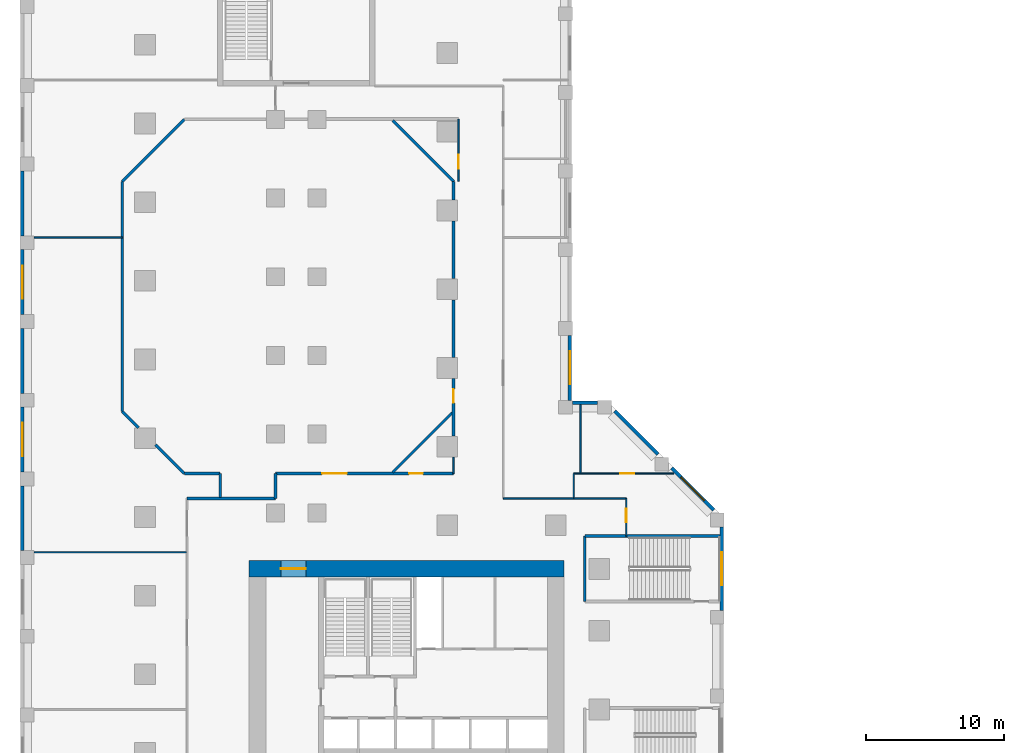
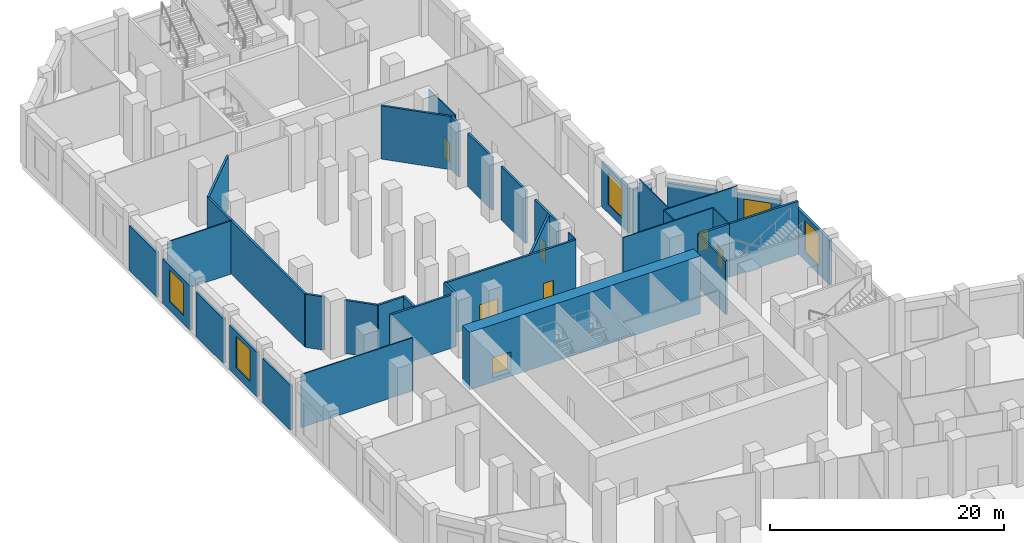
# One storey, part 8 of 15: 38 walls, 7 doors, 5 windows, 12 openings.
"""IFC4 building model written with IfcOpenShell, lengths in metres."""

from ifc_helpers import new_model, si_unit, direction, frame, frame_2d, origin, place, context, subcontext, project, spatial, rectangle, extrude, material, layer, layer_set, type_object, element, fill, save


model = new_model("IFC4")

# Units and contexts
model_context = context("Model", 3, precision=1e-05, world=origin(), true_north=direction((0.0, 1.0)))
body_context = subcontext(model_context, "Body", "Model", "MODEL_VIEW")
ifc_project = project(units=[si_unit("LENGTHUNIT", "METRE"), si_unit("AREAUNIT", "SQUARE_METRE"), si_unit("VOLUMEUNIT", "CUBIC_METRE"), si_unit("PLANEANGLEUNIT", "RADIAN"), si_unit("MASSUNIT", "GRAM", prefix="KILO")], contexts=[model_context])

# Site, building, storey
site_placement = place(None, origin())
site = spatial("IfcSite", under=ifc_project, at=site_placement, CompositionType="ELEMENT")
building_placement = place(site_placement, origin())
building = spatial("IfcBuilding", under=site, at=building_placement, Name="Meshkara Civic Tower", CompositionType="ELEMENT")
storey_placement = place(building_placement, frame((0.0, 0.0, 12.60009765625)))
storey = spatial("IfcBuildingStorey", under=building, at=storey_placement, Name="L02", CompositionType="ELEMENT", Elevation=12.60009765625)

# Wall, opening, door
ifc_material_1 = material(Name="Concrete C80", Category="concrete")
ifc_layer_1 = layer(ifc_material_1, 1.199951171875)
ifc_layer_set_1 = layer_set([ifc_layer_1], Name="Core ring wall 1200 C80")
wall_type_1 = type_object("IfcWallType", Name="Core ring wall 1200 C80", PredefinedType="SHEAR", material=ifc_layer_set_1)
wall_1_placement = place(storey_placement, frame((8.0, 36.300048828125, -0.4501953125), z_axis=(0.0, 0.0, 1.0), x_axis=(1.0, 0.0, 0.0)))
wall_1 = element("IfcWall", 1, at=wall_1_placement, inside=storey, type_object=wall_type_1, Name="L02-C002", PredefinedType="SHEAR", context=body_context, shape_type="SweptSolid", body=[
    extrude(rectangle(XDim=22.800048828125, YDim=1.199951171875, at=frame_2d((11.39990234375, 0.0))), origin(), (0.0, 0.0, 1.0), 6.0),
])
opening_1_placement = place(wall_1_placement, frame((2.300048828125, 0.0, 0.449951171875)))
opening_1 = element("IfcOpeningElement", 2, at=opening_1_placement, cuts=wall_1, Name="Opening L02-K020", PredefinedType="OPENING", context=body_context, shape_type="SweptSolid", body=[
    extrude(rectangle(XDim=1.800048828125, YDim=2.10009765625, at=frame_2d((0.89990234375, 1.050048828125))), frame((0.0, 0.60986328125, 0.0), z_axis=(0.0, -1.0, 0.0), x_axis=(1.0, 0.0, 0.0)), (0.0, 0.0, 1.0), 1.219970703125),
])
ifc_material_2 = material(Name="Fire-rated door leaf in steel frame", Category="steel")
door_type_1 = type_object("IfcDoorType", Name="Core double door 1800 EI 60", OperationType="DOUBLE_DOOR_SINGLE_SWING", PredefinedType="DOOR", material=ifc_material_2)
door_1_placement = place(opening_1_placement, origin())
door_1 = element("IfcDoor", 3, at=door_1_placement, inside=storey, type_object=door_type_1, Name="L02-K020", OperationType="DOUBLE_DOOR_SINGLE_SWING", OverallHeight=2.10009765625, OverallWidth=1.800048828125, PredefinedType="DOOR", context=body_context, shape_type="SweptSolid", body=[
    extrude(rectangle(XDim=1.800048828125, YDim=2.10009765625, at=frame_2d((0.89990234375, 1.050048828125))), frame((0.0, 0.02490234375, 0.0), z_axis=(0.0, -1.0, 0.0), x_axis=(1.0, 0.0, 0.0)), (0.0, 0.0, 1.0), 0.050048828125),
])
fill(opening_1, door_1)

# Wall
ifc_material_3 = material(Name="Corridor wall 100")
ifc_layer_2 = layer(ifc_material_3, 0.10009765625)
ifc_layer_set_2 = layer_set([ifc_layer_2], Name="Corridor wall 100")
wall_type_2 = type_object("IfcWallType", Name="Corridor wall 100", PredefinedType="PARTITIONING", material=ifc_layer_set_2)
wall_2_placement = place(storey_placement, frame((22.800048828125, 44.3798828125, 0.0), z_axis=(0.0, 0.0, 1.0), x_axis=(0.0, -1.0, 0.0)))
element("IfcWall", 4, at=wall_2_placement, inside=storey, type_object=wall_type_2, Name="L02-R029", PredefinedType="PARTITIONING", context=body_context, shape_type="SweptSolid", body=[
    extrude(rectangle(XDim=1.179931640625, YDim=0.10009765625, at=frame_2d((0.58984375, 0.0))), origin(), (0.0, 0.0, 1.0), 5.5498046875),
])

# Wall, opening, door
wall_3_placement = place(storey_placement, frame((23.14990234375, 68.8701171875, 0.0), z_axis=(0.0, 0.0, 1.0), x_axis=(0.0, -1.0, 0.0)))
wall_3 = element("IfcWall", 5, at=wall_3_placement, inside=storey, type_object=wall_type_2, Name="L02-R034", PredefinedType="PARTITIONING", context=body_context, shape_type="SweptSolid", body=[
    extrude(rectangle(XDim=4.52001953125, YDim=0.10009765625, at=frame_2d((2.260009765625, 0.0))), origin(), (0.0, 0.0, 1.0), 5.5498046875),
])
opening_2_placement = place(wall_3_placement, frame((2.580078125, 0.0, 0.0)))
opening_2 = element("IfcOpeningElement", 6, at=opening_2_placement, cuts=wall_3, Name="Opening L02-P033", PredefinedType="OPENING", context=body_context, shape_type="SweptSolid", body=[
    extrude(rectangle(XDim=1.0, YDim=2.10009765625, at=frame_2d((0.5, 1.050048828125))), frame((0.0, 0.06005859375, 0.0), z_axis=(0.0, -1.0, 0.0), x_axis=(1.0, 0.0, 0.0)), (0.0, 0.0, 1.0), 0.1201171875),
])
ifc_material_4 = material(Name="Door 1000 x 2100")
door_type_2 = type_object("IfcDoorType", Name="Door 1000 x 2100", OperationType="SINGLE_SWING_LEFT", PredefinedType="DOOR", material=ifc_material_4)
door_2_placement = place(opening_2_placement, origin())
door_2 = element("IfcDoor", 7, at=door_2_placement, inside=storey, type_object=door_type_2, Name="L02-P033", OperationType="SINGLE_SWING_LEFT", OverallHeight=2.10009765625, OverallWidth=1.0, PredefinedType="DOOR", context=body_context, shape_type="SweptSolid", body=[
    extrude(rectangle(XDim=1.0, YDim=2.10009765625, at=frame_2d((0.5, 1.050048828125))), frame((0.0, 0.02490234375, 0.0), z_axis=(0.0, -1.0, 0.0), x_axis=(1.0, 0.0, 0.0)), (0.0, 0.0, 1.0), 0.050048828125),
])
fill(opening_2, door_2)

# Wall
wall_4_placement = place(storey_placement, frame((26.39990234375, 41.39990234375, 0.0), z_axis=(0.0, 0.0, 1.0), x_axis=(1.0, 0.0, 0.0)))
element("IfcWall", 8, at=wall_4_placement, inside=storey, type_object=wall_type_2, Name="L02-R037", PredefinedType="PARTITIONING", context=body_context, shape_type="SweptSolid", body=[
    extrude(rectangle(XDim=8.900146484375, YDim=0.10009765625, at=frame_2d((4.4501953125, 0.0))), origin(), (0.0, 0.0, 1.0), 5.5498046875),
])

# Wall, opening, door
wall_5_placement = place(storey_placement, frame((35.300048828125, 38.675048828125, 0.0), z_axis=(0.0, 0.0, 1.0), x_axis=(0.0, 1.0, 0.0)))
wall_5 = element("IfcWall", 9, at=wall_5_placement, inside=storey, type_object=wall_type_2, Name="L02-R047", PredefinedType="PARTITIONING", context=body_context, shape_type="SweptSolid", body=[
    extrude(rectangle(XDim=2.724853515625, YDim=0.10009765625, at=frame_2d((1.3623046875, 0.0))), origin(), (0.0, 0.0, 1.0), 5.5498046875),
])
opening_3_placement = place(wall_5_placement, frame((0.97998046875, 0.0, 0.0)))
opening_3 = element("IfcOpeningElement", 10, at=opening_3_placement, cuts=wall_5, Name="Opening L02-P027", PredefinedType="OPENING", context=body_context, shape_type="SweptSolid", body=[
    extrude(rectangle(XDim=1.0, YDim=2.10009765625, at=frame_2d((0.5, 1.050048828125))), frame((0.0, 0.06005859375, 0.0), z_axis=(0.0, -1.0, 0.0), x_axis=(1.0, 0.0, 0.0)), (0.0, 0.0, 1.0), 0.1201171875),
])
door_3_placement = place(opening_3_placement, origin())
door_3 = element("IfcDoor", 11, at=door_3_placement, inside=storey, type_object=door_type_2, Name="L02-P027", OperationType="SINGLE_SWING_RIGHT", OverallHeight=2.10009765625, OverallWidth=1.0, PredefinedType="DOOR", context=body_context, shape_type="SweptSolid", body=[
    extrude(rectangle(XDim=1.0, YDim=2.10009765625, at=frame_2d((0.5, 1.050048828125))), frame((0.0, 0.02490234375, 0.0), z_axis=(0.0, -1.0, 0.0), x_axis=(1.0, 0.0, 0.0)), (0.0, 0.0, 1.0), 0.050048828125),
])
fill(opening_3, door_3)

# Wall
ifc_material_5 = material(Name="Fire-rated wall 200")
ifc_layer_3 = layer(ifc_material_5, 0.199951171875)
ifc_layer_set_3 = layer_set([ifc_layer_3], Name="Fire-rated wall 200")
wall_type_3 = type_object("IfcWallType", Name="Fire-rated wall 200", PredefinedType="PARTITIONING", material=ifc_layer_set_3)
wall_6_placement = place(storey_placement, frame((3.5, 41.39990234375, 0.0), z_axis=(0.0, 0.0, 1.0), x_axis=(1.0, 0.0, 0.0)))
element("IfcWall", 12, at=wall_6_placement, inside=storey, type_object=wall_type_3, Name="L02-R009", PredefinedType="PARTITIONING", context=body_context, shape_type="SweptSolid", body=[
    extrude(rectangle(XDim=6.39990234375, YDim=0.199951171875, at=frame_2d((3.199951171875, 0.0))), origin(), (0.0, 0.0, 1.0), 5.5498046875),
])

# Wall, openings, doors
wall_7_placement = place(storey_placement, frame((9.89990234375, 43.199951171875, 0.0), z_axis=(0.0, 0.0, 1.0), x_axis=(1.0, 0.0, 0.0)))
wall_7 = element("IfcWall", 13, at=wall_7_placement, inside=storey, type_object=wall_type_3, Name="L02-R012", PredefinedType="PARTITIONING", context=body_context, shape_type="SweptSolid", body=[
    extrude(rectangle(XDim=12.900146484375, YDim=0.199951171875, at=frame_2d((6.4501953125, 0.0))), origin(), (0.0, 0.0, 1.0), 5.5498046875),
])
opening_4_placement = place(wall_7_placement, frame((3.3798828125, 0.0, 0.0)))
opening_4 = element("IfcOpeningElement", 14, at=opening_4_placement, cuts=wall_7, Name="Opening L02-P028", PredefinedType="OPENING", context=body_context, shape_type="SweptSolid", body=[
    extrude(rectangle(XDim=1.800048828125, YDim=2.10009765625, at=frame_2d((0.89990234375, 1.050048828125))), frame((0.0, 0.10986328125, 0.0), z_axis=(0.0, -1.0, 0.0), x_axis=(1.0, 0.0, 0.0)), (0.0, 0.0, 1.0), 0.219970703125),
])
opening_5_placement = place(wall_7_placement, frame((9.679931640625, 0.0, 0.0)))
opening_5 = element("IfcOpeningElement", 15, at=opening_5_placement, cuts=wall_7, Name="Opening L02-P029", PredefinedType="OPENING", context=body_context, shape_type="SweptSolid", body=[
    extrude(rectangle(XDim=1.0, YDim=2.10009765625, at=frame_2d((0.5, 1.050048828125))), frame((0.0, 0.10986328125, 0.0), z_axis=(0.0, -1.0, 0.0), x_axis=(1.0, 0.0, 0.0)), (0.0, 0.0, 1.0), 0.219970703125),
])
door_4_placement = place(opening_5_placement, origin())
door_4 = element("IfcDoor", 16, at=door_4_placement, inside=storey, type_object=door_type_2, Name="L02-P029", OperationType="SINGLE_SWING_RIGHT", OverallHeight=2.10009765625, OverallWidth=1.0, PredefinedType="DOOR", context=body_context, shape_type="SweptSolid", body=[
    extrude(rectangle(XDim=1.0, YDim=2.10009765625, at=frame_2d((0.5, 1.050048828125))), frame((0.0, 0.02490234375, 0.0), z_axis=(0.0, -1.0, 0.0), x_axis=(1.0, 0.0, 0.0)), (0.0, 0.0, 1.0), 0.050048828125),
])
fill(opening_5, door_4)
ifc_material_6 = material(Name="Door pair 1800 x 2100")
door_type_3 = type_object("IfcDoorType", Name="Door pair 1800 x 2100", OperationType="SINGLE_SWING_LEFT", PredefinedType="DOOR", material=ifc_material_6)
door_5_placement = place(opening_4_placement, origin())
door_5 = element("IfcDoor", 17, at=door_5_placement, inside=storey, type_object=door_type_3, Name="L02-P028", OperationType="DOUBLE_DOOR_SINGLE_SWING", OverallHeight=2.10009765625, OverallWidth=1.800048828125, PredefinedType="DOOR", context=body_context, shape_type="SweptSolid", body=[
    extrude(rectangle(XDim=1.800048828125, YDim=2.10009765625, at=frame_2d((0.89990234375, 1.050048828125))), frame((0.0, 0.02490234375, 0.0), z_axis=(0.0, -1.0, 0.0), x_axis=(1.0, 0.0, 0.0)), (0.0, 0.0, 1.0), 0.050048828125),
])
fill(opening_4, door_5)

# Wall
wall_8_placement = place(storey_placement, frame((9.89990234375, 43.199951171875, 0.0), z_axis=(0.0, 0.0, 1.0), x_axis=(0.0, -1.0, 0.0)))
element("IfcWall", 18, at=wall_8_placement, inside=storey, type_object=wall_type_3, Name="L02-R013", PredefinedType="PARTITIONING", context=body_context, shape_type="SweptSolid", body=[
    extrude(rectangle(XDim=1.800048828125, YDim=0.199951171875, at=frame_2d((0.89990234375, 0.0))), origin(), (0.0, 0.0, 1.0), 5.5498046875),
])

# Wall, opening, door
wall_9_placement = place(storey_placement, frame((22.800048828125, 45.919921875, 0.0), z_axis=(0.0, 0.0, 1.0), x_axis=(0.0, 1.0, 0.0)))
wall_9 = element("IfcWall", 19, at=wall_9_placement, inside=storey, type_object=wall_type_3, Name="L02-R030", PredefinedType="PARTITIONING", context=body_context, shape_type="SweptSolid", body=[
    extrude(rectangle(XDim=4.16015625, YDim=0.199951171875, at=frame_2d((2.080078125, 0.0))), origin(), (0.0, 0.0, 1.0), 5.5498046875),
])
opening_6_placement = place(wall_9_placement, frame((2.39990234375, 0.0, 0.0)))
opening_6 = element("IfcOpeningElement", 20, at=opening_6_placement, cuts=wall_9, Name="Opening L02-P031", PredefinedType="OPENING", context=body_context, shape_type="SweptSolid", body=[
    extrude(rectangle(XDim=1.0, YDim=2.10009765625, at=frame_2d((0.5, 1.050048828125))), frame((0.0, 0.10986328125, 0.0), z_axis=(0.0, -1.0, 0.0), x_axis=(1.0, 0.0, 0.0)), (0.0, 0.0, 1.0), 0.219970703125),
])
door_6_placement = place(opening_6_placement, origin())
door_6 = element("IfcDoor", 21, at=door_6_placement, inside=storey, type_object=door_type_2, Name="L02-P031", OperationType="SINGLE_SWING_LEFT", OverallHeight=2.10009765625, OverallWidth=1.0, PredefinedType="DOOR", context=body_context, shape_type="SweptSolid", body=[
    extrude(rectangle(XDim=1.0, YDim=2.10009765625, at=frame_2d((0.5, 1.050048828125))), frame((0.0, 0.02490234375, 0.0), z_axis=(0.0, -1.0, 0.0), x_axis=(1.0, 0.0, 0.0)), (0.0, 0.0, 1.0), 0.050048828125),
])
fill(opening_6, door_6)

# Walls
for number, where, z_axis, x_axis, name in (
    (22, (22.800048828125, 55.780029296875, 0.0), (0.0, 0.0, 1.0), (0.0, -1.0, 0.0), "L02-R031"),
    (23, (22.800048828125, 61.47998046875, 0.0), (0.0, 0.0, 1.0), (0.0, -1.0, 0.0), "L02-R032"),
):
    element("IfcWall", number, at=place(storey_placement, frame(where, z_axis=z_axis, x_axis=x_axis)), inside=storey, type_object=wall_type_3, Name=name, PredefinedType="PARTITIONING", context=body_context, shape_type="SweptSolid", body=[
        extrude(rectangle(XDim=4.159912109375, YDim=0.199951171875, at=frame_2d((2.080078125, 0.0))), origin(), (0.0, 0.0, 1.0), 5.5498046875),
    ])
wall_10_placement = place(storey_placement, frame((22.800048828125, 64.35009765625, 0.0), z_axis=(0.0, 0.0, 1.0), x_axis=(0.0, -1.0, 0.0)))
element("IfcWall", 24, at=wall_10_placement, inside=storey, type_object=wall_type_3, Name="L02-R033", PredefinedType="PARTITIONING", context=body_context, shape_type="SweptSolid", body=[
    extrude(rectangle(XDim=1.330078125, YDim=0.199951171875, at=frame_2d((0.6650390625, 0.0))), origin(), (0.0, 0.0, 1.0), 5.5498046875),
])
wall_11_placement = place(storey_placement, frame((-1.199951171875, 47.699951171875, 0.0), z_axis=(0.0, 0.0, 1.0), x_axis=(0.707106781187, -0.707106781187, 0.0)))
element("IfcWall", 25, at=wall_11_placement, inside=storey, type_object=wall_type_3, Name="L02-R080", PredefinedType="PARTITIONING", context=body_context, shape_type="SweptSolid", body=[
    extrude(rectangle(XDim=1.661865234375, YDim=0.199951171875, at=frame_2d((0.8310546875, 0.0))), origin(), (0.0, 0.0, 1.0), 5.5498046875),
])
wall_12_placement = place(storey_placement, frame((-1.199951171875, 64.35009765625, 0.0), z_axis=(0.0, 0.0, 1.0), x_axis=(0.0, -1.0, 0.0)))
element("IfcWall", 26, at=wall_12_placement, inside=storey, type_object=wall_type_3, Name="L02-R081", PredefinedType="PARTITIONING", context=body_context, shape_type="SweptSolid", body=[
    extrude(rectangle(XDim=16.650146484375, YDim=0.199951171875, at=frame_2d((8.3251953125, 0.0))), origin(), (0.0, 0.0, 1.0), 5.5498046875),
])
wall_13_placement = place(storey_placement, frame((1.219970703125, 45.280029296875, 0.0), z_axis=(0.0, 0.0, 1.0), x_axis=(0.707106781187, -0.707106781187, 0.0)))
element("IfcWall", 27, at=wall_13_placement, inside=storey, type_object=wall_type_3, Name="L02-R083", PredefinedType="PARTITIONING", context=body_context, shape_type="SweptSolid", body=[
    extrude(rectangle(XDim=2.941650390625, YDim=0.199951171875, at=frame_2d((1.470703125, 0.0))), origin(), (0.0, 0.0, 1.0), 5.5498046875),
])
wall_14_placement = place(storey_placement, frame((3.300048828125, 43.199951171875, 0.0), z_axis=(0.0, 0.0, 1.0), x_axis=(1.0, 0.0, 0.0)))
element("IfcWall", 28, at=wall_14_placement, inside=storey, type_object=wall_type_3, Name="L02-R084", PredefinedType="PARTITIONING", context=body_context, shape_type="SweptSolid", body=[
    extrude(rectangle(XDim=2.599853515625, YDim=0.199951171875, at=frame_2d((1.2998046875, 0.0))), origin(), (0.0, 0.0, 1.0), 5.5498046875),
])
wall_15_placement = place(storey_placement, frame((3.300048828125, 68.85009765625, 0.0), z_axis=(0.0, 0.0, 1.0), x_axis=(-0.707106781187, -0.707106781187, 0.0)))
element("IfcWall", 29, at=wall_15_placement, inside=storey, type_object=wall_type_3, Name="L02-R085", PredefinedType="PARTITIONING", context=body_context, shape_type="SweptSolid", body=[
    extrude(rectangle(XDim=6.364013671875, YDim=0.199951171875, at=frame_2d((3.18212890625, 0.0))), origin(), (0.0, 0.0, 1.0), 5.5498046875),
])
wall_16_placement = place(storey_placement, frame((5.89990234375, 43.199951171875, 0.0), z_axis=(0.0, 0.0, 1.0), x_axis=(0.0, -1.0, 0.0)))
element("IfcWall", 30, at=wall_16_placement, inside=storey, type_object=wall_type_3, Name="L02-R089", PredefinedType="PARTITIONING", context=body_context, shape_type="SweptSolid", body=[
    extrude(rectangle(XDim=1.75, YDim=0.199951171875, at=frame_2d((0.875, 0.0))), origin(), (0.0, 0.0, 1.0), 5.5498046875),
])
wall_17_placement = place(storey_placement, frame((18.385009765625, 43.284912109375, 0.0), z_axis=(0.0, 0.0, 1.0), x_axis=(0.707106781187, 0.707106781187, 0.0)))
element("IfcWall", 31, at=wall_17_placement, inside=storey, type_object=wall_type_3, Name="L02-R091", PredefinedType="PARTITIONING", context=body_context, shape_type="SweptSolid", body=[
    extrude(rectangle(XDim=6.12353515625, YDim=0.199951171875, at=frame_2d((3.061767578125, 0.0))), origin(), (0.0, 0.0, 1.0), 5.5498046875),
])
wall_18_placement = place(storey_placement, frame((22.800048828125, 64.35009765625, 0.0), z_axis=(0.0, 0.0, 1.0), x_axis=(-0.707126332076, 0.707087229757, 0.0)))
element("IfcWall", 32, at=wall_18_placement, inside=storey, type_object=wall_type_3, Name="L02-R092", PredefinedType="PARTITIONING", context=body_context, shape_type="SweptSolid", body=[
    extrude(rectangle(XDim=6.24365234375, YDim=0.199951171875, at=frame_2d((3.121826171875, 0.0))), origin(), (0.0, 0.0, 1.0), 5.5498046875),
])
ifc_material_7 = material(Name="Stone cladding on insulated backing wall", Category="masonry")
ifc_layer_4 = layer(ifc_material_7, 0.25)
ifc_layer_set_4 = layer_set([ifc_layer_4], Name="PODIUM STONE WALL 250")
wall_type_4 = type_object("IfcWallType", Name="PODIUM STONE WALL 250", PredefinedType="SOLIDWALL", material=ifc_layer_set_4)
wall_19_placement = place(storey_placement, frame((-8.425048828125, 65.111083984375, 0.0), z_axis=(0.0, 0.0, 1.0), x_axis=(0.0, -1.0, 0.0)))
element("IfcWall", 33, at=wall_19_placement, inside=storey, type_object=wall_type_4, Name="Podium external wall", PredefinedType="SOLIDWALL", context=body_context, shape_type="SweptSolid", body=[
    extrude(rectangle(XDim=4.7001953125, YDim=0.25, at=frame_2d((2.35009765625, 0.0))), origin(), (0.0, 0.0, 1.0), 4.64990234375),
])

# Wall, opening, window
wall_20_placement = place(storey_placement, frame((-8.425048828125, 59.410888671875, 0.0), z_axis=(0.0, 0.0, 1.0), x_axis=(0.0, -1.0, 0.0)))
wall_20 = element("IfcWall", 34, at=wall_20_placement, inside=storey, type_object=wall_type_4, Name="Podium external wall", PredefinedType="SOLIDWALL", context=body_context, shape_type="SweptSolid", body=[
    extrude(rectangle(XDim=4.699951171875, YDim=0.25, at=frame_2d((2.35009765625, 0.0))), origin(), (0.0, 0.0, 1.0), 4.64990234375),
])
opening_7_placement = place(wall_20_placement, frame((1.14990234375, 0.0, 0.89990234375)))
opening_7 = element("IfcOpeningElement", 35, at=opening_7_placement, cuts=wall_20, Name="Opening PW7", PredefinedType="OPENING", context=body_context, shape_type="SweptSolid", body=[
    extrude(rectangle(XDim=2.39990234375, YDim=3.300048828125, at=frame_2d((1.199951171875, 1.64990234375))), frame((0.0, 0.135009765625, 0.0), z_axis=(0.0, -1.0, 0.0), x_axis=(1.0, 0.0, 0.0)), (0.0, 0.0, 1.0), 0.27001953125),
])
ifc_material_8 = material(Name="Tinted double glazing", Category="glass")
window_type = type_object("IfcWindowType", Name="PODIUM WINDOW 2400x3300", PartitioningType="DOUBLE_PANEL_VERTICAL", PredefinedType="WINDOW", material=ifc_material_8)
window_1_placement = place(opening_7_placement, origin())
window_1 = element("IfcWindow", 36, at=window_1_placement, inside=storey, type_object=window_type, Name="Podium window", OverallHeight=3.300048828125, OverallWidth=2.39990234375, PartitioningType="DOUBLE_PANEL_VERTICAL", PredefinedType="WINDOW", context=body_context, shape_type="SweptSolid", body=[
    extrude(rectangle(XDim=2.39990234375, YDim=3.300048828125, at=frame_2d((1.199951171875, 1.64990234375))), frame((0.0, 0.030029296875, 0.0), z_axis=(0.0, -1.0, 0.0), x_axis=(1.0, 0.0, 0.0)), (0.0, 0.0, 1.0), 0.06005859375),
])
fill(opening_7, window_1)

# Wall
wall_21_placement = place(storey_placement, frame((-8.425048828125, 53.7109375, 0.0), z_axis=(0.0, 0.0, 1.0), x_axis=(0.0, -1.0, 0.0)))
element("IfcWall", 37, at=wall_21_placement, inside=storey, type_object=wall_type_4, Name="Podium external wall", PredefinedType="SOLIDWALL", context=body_context, shape_type="SweptSolid", body=[
    extrude(rectangle(XDim=4.699951171875, YDim=0.25, at=frame_2d((2.35009765625, 0.0))), origin(), (0.0, 0.0, 1.0), 4.64990234375),
])

# Wall, opening, window
wall_22_placement = place(storey_placement, frame((-8.425048828125, 48.010986328125, 0.0), z_axis=(0.0, 0.0, 1.0), x_axis=(0.0, -1.0, 0.0)))
wall_22 = element("IfcWall", 38, at=wall_22_placement, inside=storey, type_object=wall_type_4, Name="Podium external wall", PredefinedType="SOLIDWALL", context=body_context, shape_type="SweptSolid", body=[
    extrude(rectangle(XDim=4.699951171875, YDim=0.25, at=frame_2d((2.35009765625, 0.0))), origin(), (0.0, 0.0, 1.0), 4.64990234375),
])
opening_8_placement = place(wall_22_placement, frame((1.14990234375, 0.0, 0.89990234375)))
opening_8 = element("IfcOpeningElement", 39, at=opening_8_placement, cuts=wall_22, Name="Opening PW7", PredefinedType="OPENING", context=body_context, shape_type="SweptSolid", body=[
    extrude(rectangle(XDim=2.39990234375, YDim=3.300048828125, at=frame_2d((1.199951171875, 1.64990234375))), frame((0.0, 0.135009765625, 0.0), z_axis=(0.0, -1.0, 0.0), x_axis=(1.0, 0.0, 0.0)), (0.0, 0.0, 1.0), 0.27001953125),
])
window_2_placement = place(opening_8_placement, origin())
window_2 = element("IfcWindow", 40, at=window_2_placement, inside=storey, type_object=window_type, Name="Podium window", OverallHeight=3.300048828125, OverallWidth=2.39990234375, PartitioningType="DOUBLE_PANEL_VERTICAL", PredefinedType="WINDOW", context=body_context, shape_type="SweptSolid", body=[
    extrude(rectangle(XDim=2.39990234375, YDim=3.300048828125, at=frame_2d((1.199951171875, 1.64990234375))), frame((0.0, 0.030029296875, 0.0), z_axis=(0.0, -1.0, 0.0), x_axis=(1.0, 0.0, 0.0)), (0.0, 0.0, 1.0), 0.06005859375),
])
fill(opening_8, window_2)

# Wall
wall_23_placement = place(storey_placement, frame((-8.425048828125, 42.31103515625, 0.0), z_axis=(0.0, 0.0, 1.0), x_axis=(0.0, -1.0, 0.0)))
element("IfcWall", 41, at=wall_23_placement, inside=storey, type_object=wall_type_4, Name="Podium external wall", PredefinedType="SOLIDWALL", context=body_context, shape_type="SweptSolid", body=[
    extrude(rectangle(XDim=4.699951171875, YDim=0.25, at=frame_2d((2.35009765625, 0.0))), origin(), (0.0, 0.0, 1.0), 4.64990234375),
])

# Wall, opening, window
wall_24_placement = place(storey_placement, frame((42.22509765625, 33.299072265625, 0.0), z_axis=(0.0, 0.0, 1.0), x_axis=(0.0, 1.0, 0.0)))
wall_24 = element("IfcWall", 42, at=wall_24_placement, inside=storey, type_object=wall_type_4, Name="Podium external wall", PredefinedType="SOLIDWALL", context=body_context, shape_type="SweptSolid", body=[
    extrude(rectangle(XDim=6.036865234375, YDim=0.25, at=frame_2d((3.0185546875, 0.0))), origin(), (0.0, 0.0, 1.0), 4.64990234375),
])
opening_9_placement = place(wall_24_placement, frame((1.819091796875, 0.0, 0.89990234375)))
opening_9 = element("IfcOpeningElement", 43, at=opening_9_placement, cuts=wall_24, Name="Opening PW7", PredefinedType="OPENING", context=body_context, shape_type="SweptSolid", body=[
    extrude(rectangle(XDim=2.39990234375, YDim=3.300048828125, at=frame_2d((1.199951171875, 1.64990234375))), frame((0.0, 0.135009765625, 0.0), z_axis=(0.0, -1.0, 0.0), x_axis=(1.0, 0.0, 0.0)), (0.0, 0.0, 1.0), 0.27001953125),
])
window_3_placement = place(opening_9_placement, origin())
window_3 = element("IfcWindow", 44, at=window_3_placement, inside=storey, type_object=window_type, Name="Podium window", OverallHeight=3.300048828125, OverallWidth=2.39990234375, PartitioningType="DOUBLE_PANEL_VERTICAL", PredefinedType="WINDOW", context=body_context, shape_type="SweptSolid", body=[
    extrude(rectangle(XDim=2.39990234375, YDim=3.300048828125, at=frame_2d((1.199951171875, 1.64990234375))), frame((0.0, 0.030029296875, 0.0), z_axis=(0.0, -1.0, 0.0), x_axis=(1.0, 0.0, 0.0)), (0.0, 0.0, 1.0), 0.06005859375),
])
fill(opening_9, window_3)

wall_25_placement = place(storey_placement, frame((41.6298828125, 40.56591796875, 0.0), z_axis=(0.0, 0.0, 1.0), x_axis=(-0.707078301545, 0.707135259681, 0.0)))
wall_25 = element("IfcWall", 45, at=wall_25_placement, inside=storey, type_object=wall_type_4, Name="Podium external wall", PredefinedType="SOLIDWALL", context=body_context, shape_type="SweptSolid", body=[
    extrude(rectangle(XDim=4.286376953125, YDim=0.25, at=frame_2d((2.14306640625, 0.0))), origin(), (0.0, 0.0, 1.0), 4.64990234375),
])
opening_10_placement = place(wall_25_placement, frame((0.943115234375, 0.0, 0.89990234375)))
opening_10 = element("IfcOpeningElement", 46, at=opening_10_placement, cuts=wall_25, Name="Opening PW7", PredefinedType="OPENING", context=body_context, shape_type="SweptSolid", body=[
    extrude(rectangle(XDim=2.39990234375, YDim=3.300048828125, at=frame_2d((1.199951171875, 1.64990234375))), frame((0.0, 0.135009765625, 0.0), z_axis=(0.0, -1.0, 0.0), x_axis=(1.0, 0.0, 0.0)), (0.0, 0.0, 1.0), 0.27001953125),
])
window_4_placement = place(opening_10_placement, origin())
window_4 = element("IfcWindow", 47, at=window_4_placement, inside=storey, type_object=window_type, Name="Podium window", OverallHeight=3.300048828125, OverallWidth=2.39990234375, PartitioningType="DOUBLE_PANEL_VERTICAL", PredefinedType="WINDOW", context=body_context, shape_type="SweptSolid", body=[
    extrude(rectangle(XDim=2.39990234375, YDim=3.300048828125, at=frame_2d((1.199951171875, 1.64990234375))), frame((0.0, 0.030029296875, 0.0), z_axis=(0.0, -1.0, 0.0), x_axis=(1.0, 0.0, 0.0)), (0.0, 0.0, 1.0), 0.06005859375),
])
fill(opening_10, window_4)

# Walls
wall_26_placement = place(storey_placement, frame((37.59912109375, 44.596923828125, 0.0), z_axis=(0.0, 0.0, 1.0), x_axis=(-0.707106781187, 0.707106781187, 0.0)))
element("IfcWall", 48, at=wall_26_placement, inside=storey, type_object=wall_type_4, Name="Podium external wall", PredefinedType="SOLIDWALL", context=body_context, shape_type="SweptSolid", body=[
    extrude(rectangle(XDim=4.430908203125, YDim=0.25, at=frame_2d((2.21533203125, 0.0))), origin(), (0.0, 0.0, 1.0), 4.64990234375),
])
wall_27_placement = place(storey_placement, frame((33.236083984375, 48.324951171875, 0.0), z_axis=(0.0, 0.0, 1.0), x_axis=(-1.0, 0.0, 0.0)))
element("IfcWall", 49, at=wall_27_placement, inside=storey, type_object=wall_type_4, Name="Podium external wall", PredefinedType="SOLIDWALL", context=body_context, shape_type="SweptSolid", body=[
    extrude(rectangle(XDim=1.836181640625, YDim=0.25, at=frame_2d((0.91796875, 0.0))), origin(), (0.0, 0.0, 1.0), 4.64990234375),
])

# Wall, opening, window
wall_28_placement = place(storey_placement, frame((31.22509765625, 48.5, 0.0), z_axis=(0.0, 0.0, 1.0), x_axis=(0.0, 1.0, 0.0)))
wall_28 = element("IfcWall", 50, at=wall_28_placement, inside=storey, type_object=wall_type_4, Name="Podium external wall", PredefinedType="SOLIDWALL", context=body_context, shape_type="SweptSolid", body=[
    extrude(rectangle(XDim=4.699951171875, YDim=0.25, at=frame_2d((2.35009765625, 0.0))), origin(), (0.0, 0.0, 1.0), 4.64990234375),
])
opening_11_placement = place(wall_28_placement, frame((1.14990234375, 0.0, 0.89990234375)))
opening_11 = element("IfcOpeningElement", 51, at=opening_11_placement, cuts=wall_28, Name="Opening PW7", PredefinedType="OPENING", context=body_context, shape_type="SweptSolid", body=[
    extrude(rectangle(XDim=2.39990234375, YDim=3.300048828125, at=frame_2d((1.199951171875, 1.64990234375))), frame((0.0, 0.135009765625, 0.0), z_axis=(0.0, -1.0, 0.0), x_axis=(1.0, 0.0, 0.0)), (0.0, 0.0, 1.0), 0.27001953125),
])
window_5_placement = place(opening_11_placement, origin())
window_5 = element("IfcWindow", 52, at=window_5_placement, inside=storey, type_object=window_type, Name="Podium window", OverallHeight=3.300048828125, OverallWidth=2.39990234375, PartitioningType="DOUBLE_PANEL_VERTICAL", PredefinedType="WINDOW", context=body_context, shape_type="SweptSolid", body=[
    extrude(rectangle(XDim=2.39990234375, YDim=3.300048828125, at=frame_2d((1.199951171875, 1.64990234375))), frame((0.0, 0.030029296875, 0.0), z_axis=(0.0, -1.0, 0.0), x_axis=(1.0, 0.0, 0.0)), (0.0, 0.0, 1.0), 0.06005859375),
])
fill(opening_11, window_5)

# Walls
ifc_material_9 = material(Name="Partition 100")
ifc_layer_5 = layer(ifc_material_9, 0.10009765625)
ifc_layer_set_5 = layer_set([ifc_layer_5], Name="Partition 100")
wall_type_5 = type_object("IfcWallType", Name="Partition 100", PredefinedType="PARTITIONING", material=ifc_layer_set_5)
wall_29_placement = place(storey_placement, frame((-7.580078125, 60.300048828125, 0.0), z_axis=(0.0, 0.0, 1.0), x_axis=(1.0, 0.0, 0.0)))
element("IfcWall", 53, at=wall_29_placement, inside=storey, type_object=wall_type_5, Name="L02-R079", PredefinedType="PARTITIONING", context=body_context, shape_type="SweptSolid", body=[
    extrude(rectangle(XDim=6.380126953125, YDim=0.10009765625, at=frame_2d((3.18994140625, 0.0))), origin(), (0.0, 0.0, 1.0), 5.5498046875),
])
wall_30_placement = place(storey_placement, frame((3.449951171875, 37.5, 0.0), z_axis=(0.0, 0.0, 1.0), x_axis=(-1.0, 0.0, 0.0)))
element("IfcWall", 54, at=wall_30_placement, inside=storey, type_object=wall_type_5, Name="L02-R087", PredefinedType="PARTITIONING", context=body_context, shape_type="SweptSolid", body=[
    extrude(rectangle(XDim=11.030029296875, YDim=0.10009765625, at=frame_2d((5.51513671875, 0.0))), origin(), (0.0, 0.0, 1.0), 5.5498046875),
])
wall_31_placement = place(storey_placement, frame((31.5, 41.449951171875, 0.0), z_axis=(0.0, 0.0, 1.0), x_axis=(0.0, 1.0, 0.0)))
element("IfcWall", 55, at=wall_31_placement, inside=storey, type_object=wall_type_5, Name="L02-R100", PredefinedType="PARTITIONING", context=body_context, shape_type="SweptSolid", body=[
    extrude(rectangle(XDim=1.75, YDim=0.10009765625, at=frame_2d((0.875, 0.0))), origin(), (0.0, 0.0, 1.0), 5.5498046875),
])

# Wall, opening, door
wall_32_placement = place(storey_placement, frame((31.5, 43.199951171875, 0.0), z_axis=(0.0, 0.0, 1.0), x_axis=(1.0, 0.0, 0.0)))
wall_32 = element("IfcWall", 56, at=wall_32_placement, inside=storey, type_object=wall_type_5, Name="L02-R101", PredefinedType="PARTITIONING", context=body_context, shape_type="SweptSolid", body=[
    extrude(rectangle(XDim=7.248046875, YDim=0.10009765625, at=frame_2d((3.6240234375, 0.0))), origin(), (0.0, 0.0, 1.0), 5.5498046875),
])
opening_12_placement = place(wall_32_placement, frame((3.3740234375, 0.0, 0.0)))
opening_12 = element("IfcOpeningElement", 57, at=opening_12_placement, cuts=wall_32, Name="Opening L02-P030", PredefinedType="OPENING", context=body_context, shape_type="SweptSolid", body=[
    extrude(rectangle(XDim=1.0, YDim=2.10009765625, at=frame_2d((0.5, 1.050048828125))), frame((0.0, 0.06005859375, 0.0), z_axis=(0.0, -1.0, 0.0), x_axis=(1.0, 0.0, 0.0)), (0.0, 0.0, 1.0), 0.1201171875),
])
door_7_placement = place(opening_12_placement, origin())
door_7 = element("IfcDoor", 58, at=door_7_placement, inside=storey, type_object=door_type_2, Name="L02-P030", OperationType="SINGLE_SWING_LEFT", OverallHeight=2.10009765625, OverallWidth=1.0, PredefinedType="DOOR", context=body_context, shape_type="SweptSolid", body=[
    extrude(rectangle(XDim=1.0, YDim=2.10009765625, at=frame_2d((0.5, 1.050048828125))), frame((0.0, 0.02490234375, 0.0), z_axis=(0.0, -1.0, 0.0), x_axis=(1.0, 0.0, 0.0)), (0.0, 0.0, 1.0), 0.050048828125),
])
fill(opening_12, door_7)

# Walls
wall_33_placement = place(storey_placement, frame((32.0, 43.25, 0.0), z_axis=(0.0, 0.0, 1.0), x_axis=(0.0, 1.0, 0.0)))
element("IfcWall", 59, at=wall_33_placement, inside=storey, type_object=wall_type_5, Name="L02-R102", PredefinedType="PARTITIONING", context=body_context, shape_type="SweptSolid", body=[
    extrude(rectangle(XDim=4.949951171875, YDim=0.10009765625, at=frame_2d((2.47509765625, 0.0))), origin(), (0.0, 0.0, 1.0), 5.5498046875),
])
ifc_material_10 = material(Name="Concrete C40/50", Category="concrete")
ifc_layer_6 = layer(ifc_material_10, 0.199951171875)
ifc_layer_set_6 = layer_set([ifc_layer_6], Name="Stair enclosure wall 200 C40/50")
wall_type_6 = type_object("IfcWallType", Name="Stair enclosure wall 200 C40/50", PredefinedType="SOLIDWALL", material=ifc_layer_set_6)
wall_34_placement = place(storey_placement, frame((32.300048828125, 33.925048828125, 0.0), z_axis=(0.0, 0.0, 1.0), x_axis=(0.0, 1.0, 0.0)))
element("IfcWall", 60, at=wall_34_placement, inside=storey, type_object=wall_type_6, Name="L02-R041", PredefinedType="SOLIDWALL", context=body_context, shape_type="SweptSolid", body=[
    extrude(rectangle(XDim=4.75, YDim=0.199951171875, at=frame_2d((2.375, 0.0))), origin(), (0.0, 0.0, 1.0), 5.5498046875),
])
wall_35_placement = place(storey_placement, frame((32.300048828125, 38.675048828125, 0.0), z_axis=(0.0, 0.0, 1.0), x_axis=(1.0, 0.0, 0.0)))
element("IfcWall", 61, at=wall_35_placement, inside=storey, type_object=wall_type_6, Name="L02-R042", PredefinedType="SOLIDWALL", context=body_context, shape_type="SweptSolid", body=[
    extrude(rectangle(XDim=3.0, YDim=0.199951171875, at=frame_2d((1.5, 0.0))), origin(), (0.0, 0.0, 1.0), 5.5498046875),
])
wall_36_placement = place(storey_placement, frame((42.10009765625, 38.675048828125, 0.0), z_axis=(0.0, 0.0, 1.0), x_axis=(-1.0, 0.0, 0.0)))
element("IfcWall", 62, at=wall_36_placement, inside=storey, type_object=wall_type_6, Name="L02-R108", PredefinedType="SOLIDWALL", context=body_context, shape_type="SweptSolid", body=[
    extrude(rectangle(XDim=6.800048828125, YDim=0.199951171875, at=frame_2d((3.39990234375, 0.0))), origin(), (0.0, 0.0, 1.0), 5.5498046875),
])

save(model, "model.ifc")
